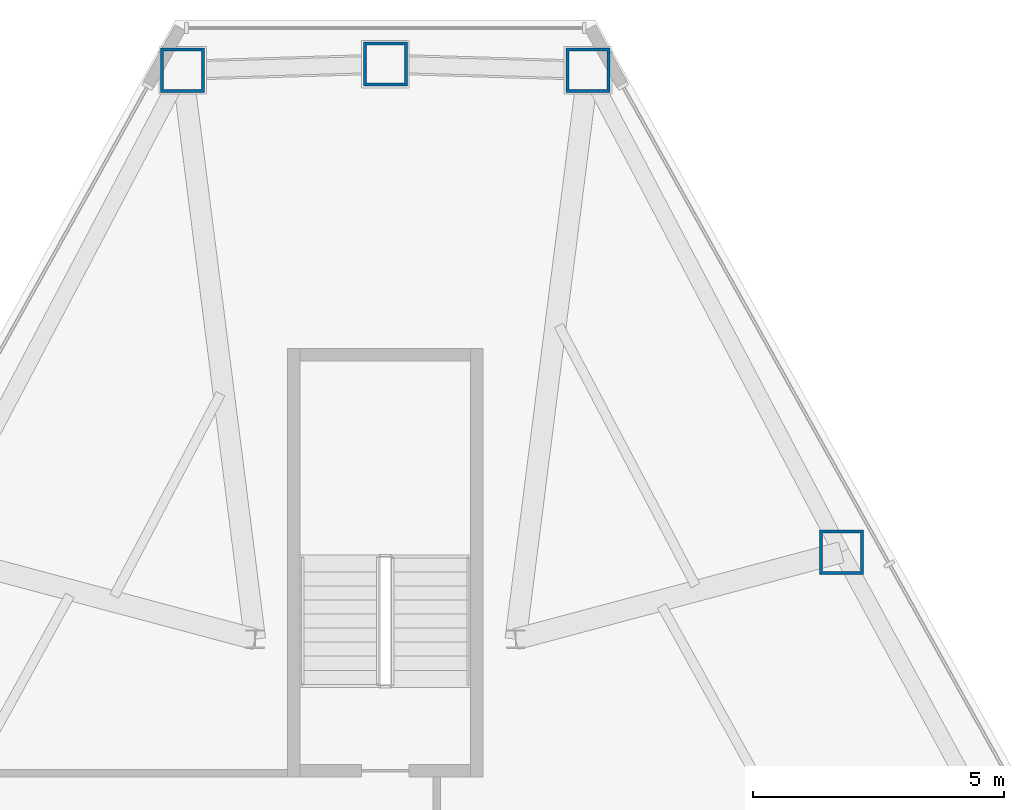
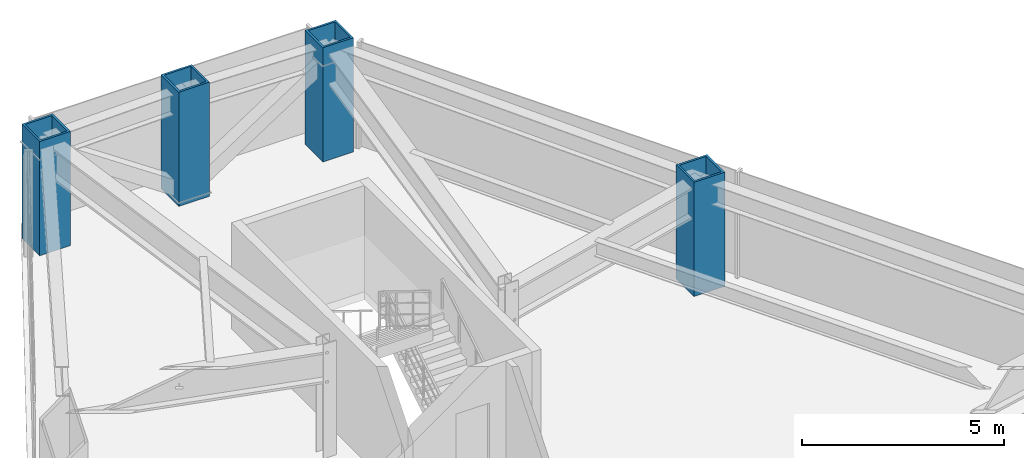
# One storey, part 3 of 13: 4 columns.
"""IFC4 building model written with IfcOpenShell, lengths in metres."""

from ifc_helpers import new_model, si_unit, direction, frame, origin, origin_2d, place, context, subcontext, project, spatial, hollow_rectangle, extrude, material, material_profile, profile_set, type_object, element, save


model = new_model("IFC4")

# Units and contexts
model_context = context("Model", 3, precision=1e-05, world=origin(), true_north=direction((0.0, 1.0)))
body_context = subcontext(model_context, "Body", "Model", "MODEL_VIEW")
ifc_project = project(units=[si_unit("LENGTHUNIT", "METRE"), si_unit("AREAUNIT", "SQUARE_METRE"), si_unit("VOLUMEUNIT", "CUBIC_METRE"), si_unit("PLANEANGLEUNIT", "RADIAN"), si_unit("MASSUNIT", "GRAM", prefix="KILO")], contexts=[model_context])

# Site, building, storey
site_placement = place(None, origin())
site = spatial("IfcSite", under=ifc_project, at=site_placement, CompositionType="ELEMENT")
building_placement = place(site_placement, origin())
building = spatial("IfcBuilding", under=site, at=building_placement, Name="Varakhsha Concourse Tower", CompositionType="ELEMENT")
storey_placement = place(building_placement, frame((0.0, 0.0, 143.60009765625)))
storey = spatial("IfcBuildingStorey", under=building, at=storey_placement, Name="L41", CompositionType="ELEMENT", Elevation=143.60009765625)

# Columns
ifc_material = material(Name="Structural Steel ASTM A572 Grade 50", Category="steel")
ifc_material_profile = material_profile(ifc_material, hollow_rectangle(XDim=0.8798828125, YDim=0.8798828125, WallThickness=0.06005859375, at=origin_2d()), Name="BOX 880x880x60")
ifc_profile_set = profile_set([ifc_material_profile], Name="Structural Steel ASTM A572 Grade 50")
column_type = type_object("IfcColumnType", Name="CL-TUBE-880", PredefinedType="COLUMN", material=ifc_profile_set)
for number, where, z_axis, x_axis, name in (
    (1, (44.042724609375, 52.54833984375, 0.0), (0.0, 0.0, 1.0), (1.0, 0.0, 0.0), "L41 Framed-Tube Column TC01"),
    (2, (40.0, 52.670166015625, 0.0), (0.0, 0.0, 1.0), (1.0, 0.0, 0.0), "L41 Framed-Tube Column TC02"),
    (3, (35.957275390625, 52.54833984375, 0.0), (0.0, 0.0, 1.0), (1.0, 0.0, 0.0), "L41 Framed-Tube Column TC03"),
    (4, (49.09619140625, 42.933837890625, 0.0), (0.0, 0.0, 1.0), (1.0, 0.0, 0.0), "L41 Framed-Tube Column TC18"),
):
    element("IfcColumn", number, at=place(storey_placement, frame(where, z_axis=z_axis, x_axis=x_axis)), inside=storey, type_object=column_type, Name=name, PredefinedType="COLUMN", context=body_context, shape_type="SweptSolid", body=[
        extrude(hollow_rectangle(XDim=0.8798828125, YDim=0.8798828125, WallThickness=0.06005859375, at=origin_2d()), origin(), (0.0, 0.0, 1.0), 3.449951171875),
    ])

save(model, "model.ifc")
